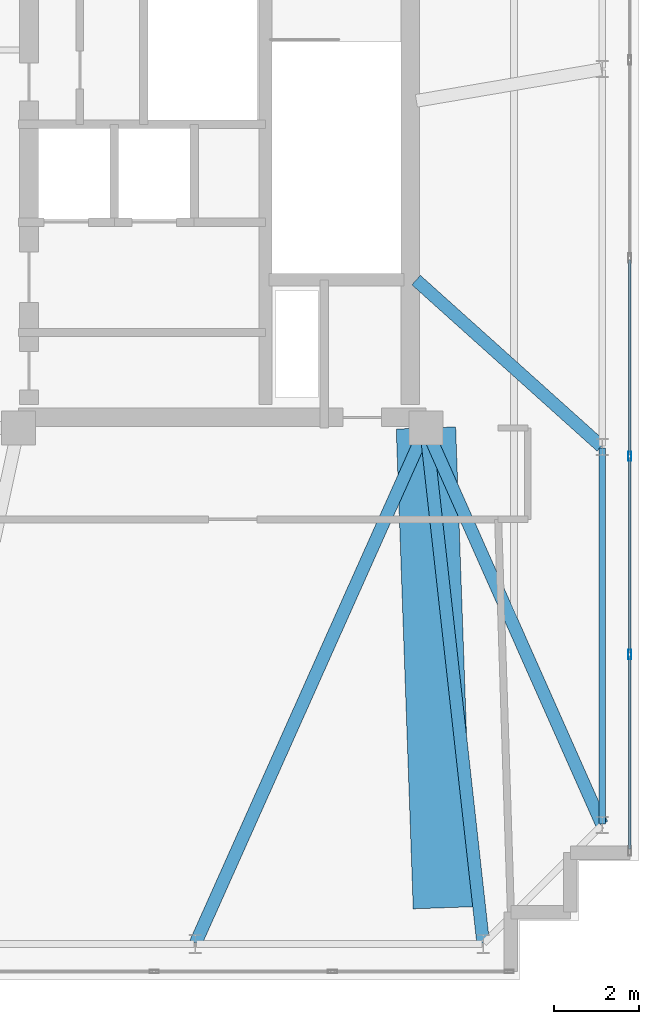
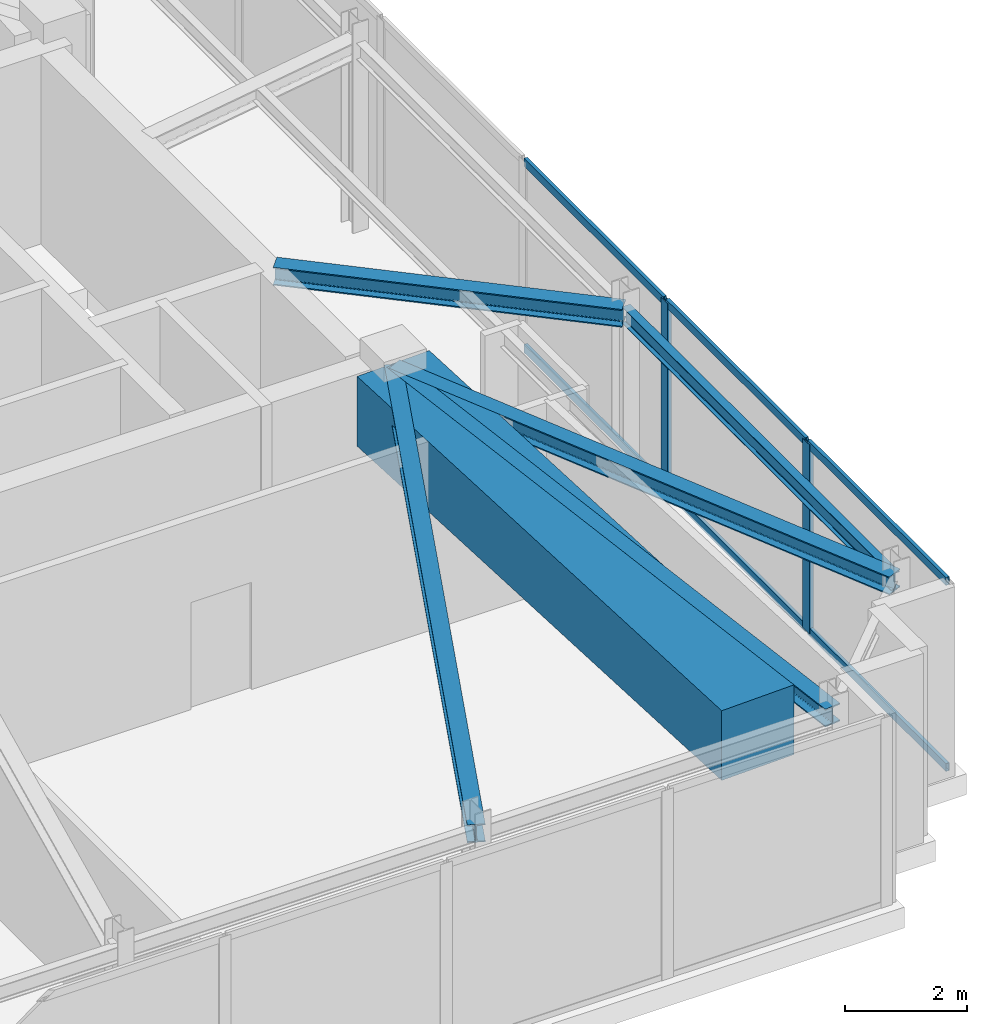
# One storey, part 15 of 27: 8 members, 6 beams, 1 element without a shape of its own.
"""IFC4 building model written with IfcOpenShell, lengths in metres."""

from ifc_helpers import new_model, si_unit, direction, frame, origin, origin_2d, place, context, subcontext, project, spatial, rectangle, hollow_rectangle, i_section, extrude, material, layer, layer_set, material_profile, profile_set, type_object, element, aggregate, save


model = new_model("IFC4")

# Units and contexts
model_context = context("Model", 3, precision=1e-05, world=origin(), true_north=direction((0.0, 1.0)))
body_context = subcontext(model_context, "Body", "Model", "MODEL_VIEW")
ifc_project = project(units=[si_unit("LENGTHUNIT", "METRE"), si_unit("AREAUNIT", "SQUARE_METRE"), si_unit("VOLUMEUNIT", "CUBIC_METRE"), si_unit("PLANEANGLEUNIT", "RADIAN"), si_unit("MASSUNIT", "GRAM", prefix="KILO")], contexts=[model_context])

# Site, building, storey
site_placement = place(None, origin())
site = spatial("IfcSite", under=ifc_project, at=site_placement, CompositionType="ELEMENT")
building_placement = place(site_placement, origin())
building = spatial("IfcBuilding", under=site, at=building_placement, Name="Qobustan Lattice House", CompositionType="ELEMENT")
storey_placement = place(building_placement, frame((0.0, 0.0, 266.0)))
storey = spatial("IfcBuildingStorey", under=building, at=storey_placement, Name="L75", CompositionType="ELEMENT", Elevation=266.0)

# Beams
ifc_material_1 = material(Name="Steel S355", Category="steel")
ifc_material_profile_1 = material_profile(ifc_material_1, i_section(OverallWidth=0.300048828125, OverallDepth=0.360107421875, WebThickness=0.012451171875, FlangeThickness=0.0224609375, FilletRadius=0.027099609375, at=origin_2d()), Name="HEB360")
ifc_profile_set_1 = profile_set([ifc_material_profile_1], Name="Steel S355")
beam_type_1 = type_object("IfcBeamType", Name="BM-FLG-HEB360", PredefinedType="USERDEFINED", material=ifc_profile_set_1)
beam_1_placement = place(storey_placement, frame((13.376953125, -17.727294921875, 3.6201171875), z_axis=(0.408219903586, 0.912883623643, 0.0), x_axis=(-0.912883623643, 0.408219903586, 0.0)))
element("IfcBeam", 1, at=beam_1_placement, inside=storey, type_object=beam_type_1, Name="L75 primary floor girder RAD-S6", ObjectType="GIRDER", PredefinedType="USERDEFINED", context=body_context, shape_type="SweptSolid", body=[
    extrude(i_section(OverallWidth=0.300048828125, OverallDepth=0.360107421875, WebThickness=0.012451171875, FlangeThickness=0.0224609375, FilletRadius=0.027099609375, at=origin_2d()), origin(), (0.0, 0.0, 1.0), 13.259521484375),
])
beam_2_placement = place(storey_placement, frame((20.147216796875, -17.72509765625, 3.6201171875), z_axis=(-0.110431526075, 0.993883734674, 0.0), x_axis=(-0.993883734674, -0.110431526075, 0.0)))
element("IfcBeam", 2, at=beam_2_placement, inside=storey, type_object=beam_type_1, Name="L75 primary floor girder RAD-S7E", ObjectType="GIRDER", PredefinedType="USERDEFINED", context=body_context, shape_type="SweptSolid", body=[
    extrude(i_section(OverallWidth=0.300048828125, OverallDepth=0.360107421875, WebThickness=0.012451171875, FlangeThickness=0.0224609375, FilletRadius=0.027099609375, at=origin_2d()), origin(), (0.0, 0.0, 1.0), 12.1748046875),
])
beam_3_placement = place(storey_placement, frame((22.931396484375, -6.033203125, 3.6201171875), z_axis=(-0.744142492307, 0.668020921186, 0.0), x_axis=(-0.668020921186, -0.744142492307, 0.0)))
element("IfcBeam", 3, at=beam_3_placement, inside=storey, type_object=beam_type_1, Name="L75 primary floor girder RAD-E2", ObjectType="GIRDER", PredefinedType="USERDEFINED", context=body_context, shape_type="SweptSolid", body=[
    extrude(i_section(OverallWidth=0.300048828125, OverallDepth=0.360107421875, WebThickness=0.012451171875, FlangeThickness=0.0224609375, FilletRadius=0.027099609375, at=origin_2d()), origin(), (0.0, 0.0, 1.0), 5.86279296875),
])
beam_4_placement = place(storey_placement, frame((22.93994140625, -14.927001953125, 3.6201171875), z_axis=(-0.405702269061, 0.914005289306, 0.0), x_axis=(-0.914005289306, -0.405702269061, 0.0)))
element("IfcBeam", 4, at=beam_4_placement, inside=storey, type_object=beam_type_1, Name="L75 primary floor girder RAD-E1", ObjectType="GIRDER", PredefinedType="USERDEFINED", context=body_context, shape_type="SweptSolid", body=[
    extrude(i_section(OverallWidth=0.300048828125, OverallDepth=0.360107421875, WebThickness=0.012451171875, FlangeThickness=0.0224609375, FilletRadius=0.027099609375, at=origin_2d()), origin(), (0.0, 0.0, 1.0), 10.1796875),
])
ifc_material_2 = material(Name="Steel S355", Category="steel")
ifc_material_profile_2 = material_profile(ifc_material_2, i_section(OverallWidth=0.159912109375, OverallDepth=0.330078125, WebThickness=0.007568359375, FlangeThickness=0.011474609375, FilletRadius=0.01806640625, at=origin_2d()), Name="IPE330")
ifc_profile_set_2 = profile_set([ifc_material_profile_2], Name="Steel S355")
beam_type_2 = type_object("IfcBeamType", Name="BM-SPD-IPE330", PredefinedType="SPANDREL", material=ifc_profile_set_2)
beam_5_placement = place(storey_placement, frame((22.949951171875, -14.925048828125, 3.635009765625), z_axis=(0.0, 1.0, 0.0), x_axis=(-1.0, 0.0, 0.0)))
element("IfcBeam", 5, at=beam_5_placement, inside=storey, type_object=beam_type_2, Name="L75 perimeter spandrel E1-E2", PredefinedType="SPANDREL", context=body_context, shape_type="SweptSolid", body=[
    extrude(i_section(OverallWidth=0.159912109375, OverallDepth=0.330078125, WebThickness=0.007568359375, FlangeThickness=0.011474609375, FilletRadius=0.01806640625, at=origin_2d()), origin(), (0.0, 0.0, 1.0), 8.85009765625),
])
ifc_material_3 = material(Name="Concrete C60/75", Category="concrete")
ifc_material_profile_3 = material_profile(ifc_material_3, rectangle(XDim=1.39990234375, YDim=1.39990234375, at=origin_2d()), Name="RC1400x1400")
ifc_profile_set_3 = profile_set([ifc_material_profile_3], Name="Concrete C60/75")
beam_type_3 = type_object("IfcBeamType", Name="BM-TRG-RC1400", PredefinedType="USERDEFINED", material=ifc_profile_set_3)
beam_6_placement = place(storey_placement, frame((18.800048828125, -5.60009765625, 3.10009765625), z_axis=(0.035368057919, -0.999374354523, 0.0), x_axis=(0.999374354523, 0.035368057919, 0.0)))
element("IfcBeam", 6, at=beam_6_placement, inside=storey, type_object=beam_type_3, Name="L75 crown base transfer girder 2", ObjectType="GIRDER", PredefinedType="USERDEFINED", context=body_context, shape_type="SweptSolid", body=[
    extrude(rectangle(XDim=1.39990234375, YDim=1.39990234375, at=origin_2d()), origin(), (0.0, 0.0, 1.0), 11.306884765625),
])

# Curtain wall, members
ifc_material_4 = material(Name="Anodised aluminium and low-E glazing", Category="aluminium")
ifc_layer = layer(ifc_material_4, 0.219970703125)
ifc_layer_set = layer_set([ifc_layer], Name="Anodised aluminium and low-E glazing")
curtain_wall_type = type_object("IfcCurtainWallType", Name="CW-OBS-01", PredefinedType="USERDEFINED", material=ifc_layer_set)
curtain_wall_placement = place(storey_placement, origin())
curtain_wall = element("IfcCurtainWall", 7, at=curtain_wall_placement, inside=storey, type_object=curtain_wall_type, Name="L75 E panoramic observation curtain wall", ObjectType="CURTAIN WALL", PredefinedType="USERDEFINED")
ifc_material_5 = material(Name="Anodised aluminium EN AW-6063 T6", Category="aluminium")
ifc_material_profile_4 = material_profile(ifc_material_5, hollow_rectangle(XDim=0.080078125, YDim=0.219970703125, WallThickness=0.0048828125, at=origin_2d()), Name="CWM-220x80")
ifc_profile_set_4 = profile_set([ifc_material_profile_4], Name="Anodised aluminium EN AW-6063 T6")
member_type_1 = type_object("IfcMemberType", Name="CWM-MAIN-220", PredefinedType="MULLION", material=ifc_profile_set_4)
member_1_placement = place(storey_placement, frame((23.60009765625, -6.2666015625, 0.0), z_axis=(0.0, 0.0, 1.0), x_axis=(1.0, 0.0, 0.0)))
member_1 = element("IfcMember", 8, at=member_1_placement, type_object=member_type_1, Name="CW-OB mullion 5", PredefinedType="MULLION", context=body_context, shape_type="SweptSolid", body=[
    extrude(hollow_rectangle(XDim=0.080078125, YDim=0.219970703125, WallThickness=0.0048828125, at=origin_2d()), origin(), (0.0, 0.0, 1.0), 3.800048828125),
])
member_2_placement = place(storey_placement, frame((23.60009765625, -10.933349609375, 0.0), z_axis=(0.0, 0.0, 1.0), x_axis=(1.0, 0.0, 0.0)))
member_2 = element("IfcMember", 9, at=member_2_placement, type_object=member_type_1, Name="CW-OB mullion 6", PredefinedType="MULLION", context=body_context, shape_type="SweptSolid", body=[
    extrude(hollow_rectangle(XDim=0.080078125, YDim=0.219970703125, WallThickness=0.0048828125, at=origin_2d()), origin(), (0.0, 0.0, 1.0), 3.800048828125),
])
ifc_material_6 = material(Name="Anodised aluminium EN AW-6063 T6", Category="aluminium")
ifc_material_profile_5 = material_profile(ifc_material_6, hollow_rectangle(XDim=0.06494140625, YDim=0.159912109375, WallThickness=0.00390625, at=origin_2d()), Name="CWT-160x65")
ifc_profile_set_5 = profile_set([ifc_material_profile_5], Name="Anodised aluminium EN AW-6063 T6")
member_type_2 = type_object("IfcMemberType", Name="CWT-HOR-160", PredefinedType="USERDEFINED", material=ifc_profile_set_5)
member_3_placement = place(storey_placement, frame((23.60009765625, -1.639892578125, 0.032470703125), z_axis=(0.0, -1.0, 0.0), x_axis=(1.0, 0.0, 0.0)))
member_3 = element("IfcMember", 10, at=member_3_placement, type_object=member_type_2, Name="CW-OB transom 4.1", ObjectType="TRANSOM", PredefinedType="USERDEFINED", context=body_context, shape_type="SweptSolid", body=[
    extrude(hollow_rectangle(XDim=0.06494140625, YDim=0.159912109375, WallThickness=0.00390625, at=origin_2d()), origin(), (0.0, 0.0, 1.0), 4.586669921875),
])
member_4_placement = place(storey_placement, frame((23.60009765625, -1.639892578125, 3.767578125), z_axis=(0.0, -1.0, 0.0), x_axis=(1.0, 0.0, 0.0)))
member_4 = element("IfcMember", 11, at=member_4_placement, type_object=member_type_2, Name="CW-OB transom 4.2", ObjectType="TRANSOM", PredefinedType="USERDEFINED", context=body_context, shape_type="SweptSolid", body=[
    extrude(hollow_rectangle(XDim=0.06494140625, YDim=0.159912109375, WallThickness=0.00390625, at=origin_2d()), origin(), (0.0, 0.0, 1.0), 4.586669921875),
])
member_5_placement = place(storey_placement, frame((23.60009765625, -6.306640625, 0.032470703125), z_axis=(0.0, -1.0, 0.0), x_axis=(1.0, 0.0, 0.0)))
member_5 = element("IfcMember", 12, at=member_5_placement, type_object=member_type_2, Name="CW-OB transom 5.1", ObjectType="TRANSOM", PredefinedType="USERDEFINED", context=body_context, shape_type="SweptSolid", body=[
    extrude(hollow_rectangle(XDim=0.06494140625, YDim=0.159912109375, WallThickness=0.00390625, at=origin_2d()), origin(), (0.0, 0.0, 1.0), 4.586669921875),
])
member_6_placement = place(storey_placement, frame((23.60009765625, -6.306640625, 3.767578125), z_axis=(0.0, -1.0, 0.0), x_axis=(1.0, 0.0, 0.0)))
member_6 = element("IfcMember", 13, at=member_6_placement, type_object=member_type_2, Name="CW-OB transom 5.2", ObjectType="TRANSOM", PredefinedType="USERDEFINED", context=body_context, shape_type="SweptSolid", body=[
    extrude(hollow_rectangle(XDim=0.06494140625, YDim=0.159912109375, WallThickness=0.00390625, at=origin_2d()), origin(), (0.0, 0.0, 1.0), 4.586669921875),
])
member_7_placement = place(storey_placement, frame((23.60009765625, -10.973388671875, 0.032470703125), z_axis=(0.0, -1.0, 0.0), x_axis=(1.0, 0.0, 0.0)))
member_7 = element("IfcMember", 14, at=member_7_placement, type_object=member_type_2, Name="CW-OB transom 6.1", ObjectType="TRANSOM", PredefinedType="USERDEFINED", context=body_context, shape_type="SweptSolid", body=[
    extrude(hollow_rectangle(XDim=0.06494140625, YDim=0.159912109375, WallThickness=0.00390625, at=origin_2d()), origin(), (0.0, 0.0, 1.0), 4.546630859375),
])
member_8_placement = place(storey_placement, frame((23.60009765625, -10.973388671875, 3.767578125), z_axis=(0.0, -1.0, 0.0), x_axis=(1.0, 0.0, 0.0)))
member_8 = element("IfcMember", 15, at=member_8_placement, type_object=member_type_2, Name="CW-OB transom 6.2", ObjectType="TRANSOM", PredefinedType="USERDEFINED", context=body_context, shape_type="SweptSolid", body=[
    extrude(hollow_rectangle(XDim=0.06494140625, YDim=0.159912109375, WallThickness=0.00390625, at=origin_2d()), origin(), (0.0, 0.0, 1.0), 4.546630859375),
])
aggregate(curtain_wall, [member_1, member_2, member_3, member_4, member_5, member_6, member_7, member_8])

save(model, "model.ifc")
